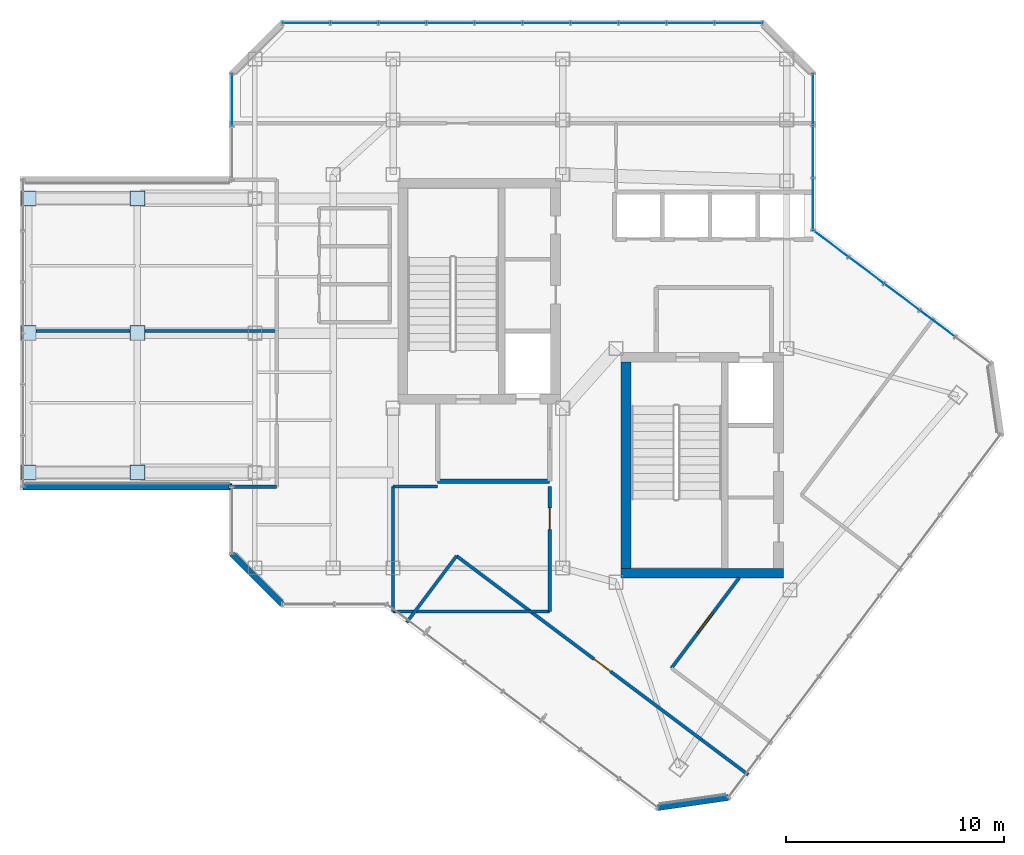
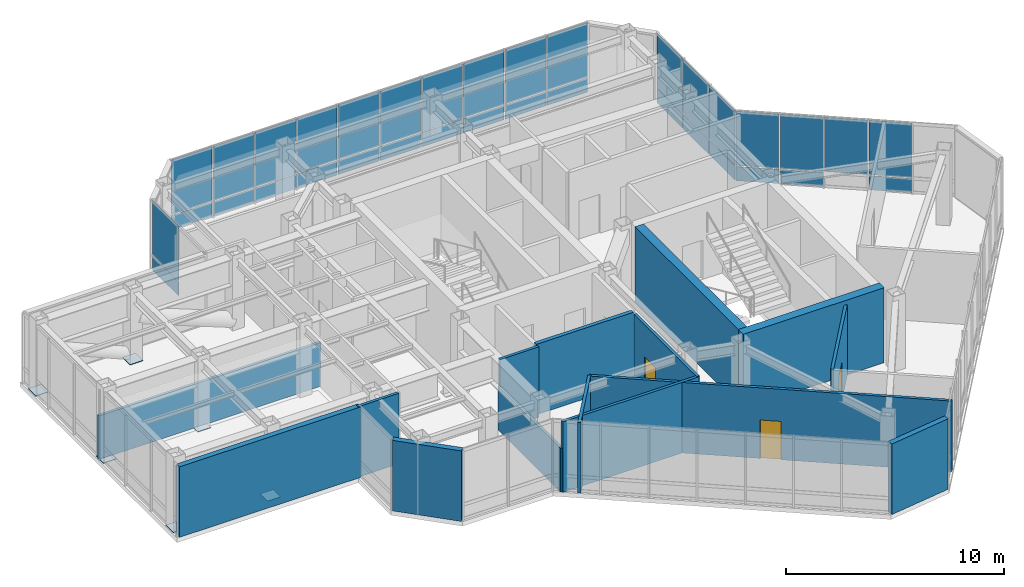
# One storey, part 17 of 22: 41 plates, 15 walls, 3 doors, 3 openings, 4 elements without a shape of their own.
"""IFC4 building model written with IfcOpenShell, lengths in metres."""

import ifcopenshell
import ifcopenshell.guid

model = None  # the IFC model being written
_history = None  # IfcOwnerHistory: only IFC2X3 demands one
_inside = {}  # id of a spatial element -> (the spatial element, [elements in it])
_under = {}  # id of a project, library or spatial element -> (it, [spatial elements below it])
_declared = {}  # id of a project -> (the project, [libraries it declares])
_typed = {}  # id of a type object -> (the type object, [elements of that type])
_made_of = {}  # id of a material, layer set ... -> (it, [elements and type objects made of it])


def new_model(schema):
    """Start an empty IFC model of exactly this schema.

    Asked for "IFC4X3", IfcOpenShell would pick the latest addendum, in which some entities
    have other attributes; the version numbers below select the first issue.
    IFC2X3 requires an IfcOwnerHistory on every rooted entity: one is made here for all.
    """
    global model, _history
    if schema == "IFC4X3":
        model = ifcopenshell.file(schema_version=(4, 3, 0, 0))
    else:
        model = ifcopenshell.file(schema=schema)
    _inside.clear()
    _under.clear()
    _declared.clear()
    _typed.clear()
    _made_of.clear()
    _history = None
    if model.schema == "IFC2X3":
        org = make("IfcOrganization", Name="unknown")
        user = make(
            "IfcPersonAndOrganization",
            ThePerson=make("IfcPerson", FamilyName="unknown"),
            TheOrganization=org,
        )
        app = make(
            "IfcApplication",
            ApplicationDeveloper=org,
            Version="unknown",
            ApplicationFullName="unknown",
            ApplicationIdentifier="unknown",
        )
        _history = make(
            "IfcOwnerHistory",
            OwningUser=user,
            OwningApplication=app,
            ChangeAction="ADDED",
            CreationDate=0,
        )
    return model


def make(cls, **values):
    """One entity of the class cls with the attributes given. An attribute that is None is left unset."""
    return model.create_entity(
        cls, **{name: value for name, value in values.items() if value is not None}
    )


def rooted(cls, **values):
    """An entity with a GlobalId (a new one), such as an element, a storey or a relation."""
    return make(cls, GlobalId=ifcopenshell.guid.new(), OwnerHistory=_history, **values)


def si_unit(unit_type, name, prefix=None):
    """IfcSIUnit, for example si_unit("LENGTHUNIT", "METRE", prefix="MILLI")."""
    return make("IfcSIUnit", UnitType=unit_type, Prefix=prefix, Name=name)


def assignment(units):
    """IfcUnitAssignment: the units of a project."""
    return None if units is None else make("IfcUnitAssignment", Units=units)


def point(xyz):
    """IfcCartesianPoint."""
    return None if xyz is None else make("IfcCartesianPoint", Coordinates=xyz)


def direction(xyz):
    """IfcDirection."""
    return None if xyz is None else make("IfcDirection", DirectionRatios=xyz)


def frame(location, z_axis=None, x_axis=None):
    """IfcAxis2Placement3D, a coordinate frame: its origin and axes. An axis left out is left unset."""
    return make(
        "IfcAxis2Placement3D",
        Location=point(location),
        Axis=direction(z_axis),
        RefDirection=direction(x_axis),
    )


def frame_2d(location, x_axis=None):
    """IfcAxis2Placement2D, a coordinate frame in the plane: its origin and x axis."""
    return make(
        "IfcAxis2Placement2D", Location=point(location), RefDirection=direction(x_axis)
    )


def origin():
    """The frame at (0, 0, 0) with its axes left unset."""
    return frame((0.0, 0.0, 0.0))


def origin_2d():
    """The frame at (0, 0) in the plane with its x axis left unset."""
    return frame_2d((0.0, 0.0))


def place(relative_to, where):
    """IfcLocalPlacement: puts the frame where relative to a parent placement (None: the world)."""
    return make(
        "IfcLocalPlacement", PlacementRelTo=relative_to, RelativePlacement=where
    )


def context(
    kind, dimensions, precision=None, world=None, true_north=None, identifier=None
):
    """IfcGeometricRepresentationContext, for example the 3D "Model" context."""
    return make(
        "IfcGeometricRepresentationContext",
        ContextIdentifier=identifier,
        ContextType=kind,
        CoordinateSpaceDimension=dimensions,
        Precision=precision,
        WorldCoordinateSystem=world,
        TrueNorth=true_north,
    )


def subcontext(parent, identifier, kind, view, scale=None):
    """IfcGeometricRepresentationSubContext, for example "Body" below "Model"."""
    return make(
        "IfcGeometricRepresentationSubContext",
        ContextIdentifier=identifier,
        ContextType=kind,
        ParentContext=parent,
        TargetScale=scale,
        TargetView=view,
    )


def project(units=None, contexts=None):
    """IfcProject with its units and contexts."""
    return rooted(
        "IfcProject",
        Name="project",
        RepresentationContexts=contexts,
        UnitsInContext=assignment(units),
    )


def spatial(cls, under=None, at=None, **own):
    """A site, building, storey or space (cls), placed at a placement, below another one or the project."""
    s = rooted(cls, ObjectPlacement=at, **own)
    if under is not None:
        _under.setdefault(under.id(), (under, []))[1].append(s)
    return s


def profile(cls, at=None, kind="AREA", **sizes):
    """A parametric profile (cls). Its sizes go by their IFC names, for example OverallWidth=200.0."""
    return make(cls, ProfileType=kind, Position=at, **sizes)


def rectangle(**sizes):
    """IfcRectangleProfileDef."""
    return profile("IfcRectangleProfileDef", **sizes)


def extrude(swept, where, along, depth):
    """IfcExtrudedAreaSolid: the profile swept, set in the frame where, extruded along a direction by depth."""
    return make(
        "IfcExtrudedAreaSolid",
        SweptArea=swept,
        Position=where,
        ExtrudedDirection=direction(along),
        Depth=depth,
    )


def shape(context_of_items, identifier, shape_type, items):
    """IfcShapeRepresentation: the items that make up one representation, for example the "Body"."""
    return make(
        "IfcShapeRepresentation",
        ContextOfItems=context_of_items,
        RepresentationIdentifier=identifier,
        RepresentationType=shape_type,
        Items=items,
    )


def material(Name=None, Category=None):
    """IfcMaterial."""
    return make("IfcMaterial", Name=Name, Category=Category)


def layer(
    of_material, thickness, ventilated=None, Name=None, Category=None, Priority=None
):
    """IfcMaterialLayer: one layer of a wall or slab, of a material (None: an air gap)."""
    return make(
        "IfcMaterialLayer",
        Material=of_material,
        LayerThickness=thickness,
        IsVentilated=ventilated,
        Name=Name,
        Category=Category,
        Priority=Priority,
    )


def layer_set(layers, Name=None):
    """IfcMaterialLayerSet."""
    return make("IfcMaterialLayerSet", MaterialLayers=layers, LayerSetName=Name)


def made_of(thing, what):
    """Note that an element or type object is made of a material, layer set ...; save() writes the relation."""
    if what is not None:
        _made_of.setdefault(what.id(), (what, []))[1].append(thing)
    return thing


def type_object(cls, material=None, **own):
    """A type object (cls), such as IfcWallType, which elements share."""
    return made_of(rooted(cls, **own), material)


def element(
    cls,
    number,
    at=None,
    inside=None,
    cuts=None,
    type_object=None,
    material=None,
    context=None,
    identifier="Body",
    shape_type=None,
    held_by="IfcProductDefinitionShape",
    body=None,
    shapes=None,
    **own,
):
    """One element of the class cls, such as IfcWall. Its Tag is "e" and its number.

    at: its placement. inside: the storey or other place that contains it. cuts: it is an
    opening in that element (IfcRelVoidsElement). A single representation is given by context,
    identifier, shape_type and body (its items); several are given by shapes. held_by: the class
    of the entity that holds the representations. save() writes the other relations.
    """
    e = rooted(cls, Tag="e%d" % number, ObjectPlacement=at, **own)
    if body is not None:
        shapes = [shape(context, identifier, shape_type, body)]
    if shapes is not None:
        e.Representation = make(held_by, Representations=shapes)
    if inside is not None:
        _inside.setdefault(inside.id(), (inside, []))[1].append(e)
    if cuts is not None:
        rooted(
            "IfcRelVoidsElement", RelatingBuildingElement=cuts, RelatedOpeningElement=e
        )
    if type_object is not None:
        _typed.setdefault(type_object.id(), (type_object, []))[1].append(e)
    return made_of(e, material)


def fill(opening, filler):
    """IfcRelFillsElement: the door or window that sits in an opening."""
    return rooted(
        "IfcRelFillsElement",
        RelatingOpeningElement=opening,
        RelatedBuildingElement=filler,
    )


def aggregate(whole, parts):
    """IfcRelAggregates: a whole, such as a stair, and the parts it consists of."""
    return rooted("IfcRelAggregates", RelatingObject=whole, RelatedObjects=parts)


def save(model, path):
    """Write the relations noted so far, then the file.

    IfcRelAggregates (storeys below a building ...), IfcRelContainedInSpatialStructure (elements
    in a storey), IfcRelDefinesByType, IfcRelAssociatesMaterial and IfcRelDeclares: one each for
    every whole, place, type object, material and project.
    """
    for whole, parts in _under.values():
        aggregate(whole, parts)
    for where, things in _inside.values():
        rooted(
            "IfcRelContainedInSpatialStructure",
            RelatedElements=things,
            RelatingStructure=where,
        )
    for kind, things in _typed.values():
        rooted("IfcRelDefinesByType", RelatedObjects=things, RelatingType=kind)
    for what, things in _made_of.values():
        rooted("IfcRelAssociatesMaterial", RelatedObjects=things, RelatingMaterial=what)
    for by, libraries in _declared.values():
        rooted("IfcRelDeclares", RelatingContext=by, RelatedDefinitions=libraries)
    model.write(path)


model = new_model("IFC4")

# Units and contexts
model_context = context("Model", 3, precision=1e-05, world=origin(), true_north=direction((0.0, 1.0)))
body_context = subcontext(model_context, "Body", "Model", "MODEL_VIEW")
ifc_project = project(units=[si_unit("LENGTHUNIT", "METRE"), si_unit("AREAUNIT", "SQUARE_METRE"), si_unit("VOLUMEUNIT", "CUBIC_METRE"), si_unit("PLANEANGLEUNIT", "RADIAN"), si_unit("MASSUNIT", "GRAM", prefix="KILO")], contexts=[model_context])

# Site, building, storey
site_placement = place(None, origin())
site = spatial("IfcSite", under=ifc_project, at=site_placement, CompositionType="ELEMENT")
building_placement = place(site_placement, origin())
building = spatial("IfcBuilding", under=site, at=building_placement, Name="Hatsunagi Terrace Concourse", CompositionType="ELEMENT")
storey_placement = place(building_placement, frame((0.0, 0.0, 257.550048828125)))
storey = spatial("IfcBuildingStorey", under=building, at=storey_placement, Name="L68", CompositionType="ELEMENT", Elevation=257.550048828125)

# Plates
ifc_material_1 = material(Name="Steel SN490C", Category="steel")
ifc_layer_1 = layer(ifc_material_1, 0.031982421875)
ifc_layer_set_1 = layer_set([ifc_layer_1], Name="ColumnEndCapPlate_32")
plate_type_1 = type_object("IfcPlateType", Name="ColumnEndCapPlate_32", PredefinedType="USERDEFINED", material=ifc_layer_set_1)
for number, where, z_axis, x_axis, name in (
    (1, (13.800048828125, 29.60009765625, 0.0), (0.0, 0.0, 1.0), (1.0, 0.0, 0.0), "Hollow Column Base Cap Plate GP-03 L68-SLM1"),
    (2, (8.800048828125, 29.60009765625, 0.0), (0.0, 0.0, 1.0), (1.0, 0.0, 0.0), "Hollow Column Base Cap Plate GP-03 L68-SLO1"),
    (3, (13.800048828125, 36.0, 0.0), (0.0, 0.0, 1.0), (1.0, 0.0, 0.0), "Hollow Column Base Cap Plate GP-03 L68-SLM2"),
    (4, (8.800048828125, 36.0, 0.0), (0.0, 0.0, 1.0), (1.0, 0.0, 0.0), "Hollow Column Base Cap Plate GP-03 L68-SLO2"),
    (5, (13.800048828125, 42.199951171875, 0.0), (0.0, 0.0, 1.0), (1.0, 0.0, 0.0), "Hollow Column Base Cap Plate GP-03 L68-SLM3"),
    (6, (8.800048828125, 42.199951171875, 0.0), (0.0, 0.0, 1.0), (1.0, 0.0, 0.0), "Hollow Column Base Cap Plate GP-03 L68-SLO3"),
):
    element("IfcPlate", number, at=place(storey_placement, frame(where, z_axis=z_axis, x_axis=x_axis)), inside=storey, type_object=plate_type_1, Name=name, ObjectType="GUSSET_PLATE", PredefinedType="USERDEFINED", context=body_context, shape_type="SweptSolid", body=[
        extrude(rectangle(XDim=0.68994140625, YDim=0.68994140625, at=origin_2d()), origin(), (0.0, 0.0, 1.0), 0.031982421875),
    ])

# Curtain wall, plate
ifc_material_2 = material(Name="Anodised Aluminium Alloy 6063-T5", Category="aluminium")
ifc_layer_2 = layer(ifc_material_2, 0.199951171875)
ifc_layer_set_2 = layer_set([ifc_layer_2], Name="SkyLobbyAtrium_CW05")
curtain_wall_type = type_object("IfcCurtainWallType", Name="SkyLobbyAtrium_CW05", PredefinedType="NOTDEFINED", material=ifc_layer_set_2)
curtain_wall_1_placement = place(storey_placement, origin())
curtain_wall_1 = element("IfcCurtainWall", 7, at=curtain_wall_1_placement, inside=storey, type_object=curtain_wall_type, Name="Unitised Curtain Wall CW-05 CW-L68-01", PredefinedType="NOTDEFINED")
ifc_material_3 = material(Name="Warm Terracotta Ceramic Spandrel Panel", Category="masonry")
ifc_layer_3 = layer(ifc_material_3, 0.031982421875)
ifc_layer_set_3 = layer_set([ifc_layer_3], Name="CurtainWallSpandrelPanel_32")
plate_type_2 = type_object("IfcPlateType", Name="CurtainWallSpandrelPanel_32", PredefinedType="SHEET", material=ifc_layer_set_3)
plate_1_placement = place(storey_placement, frame((18.139892578125, 46.720947265625, 0.030029296875), z_axis=(0.0, 0.0, 1.0), x_axis=(0.0, 1.0, 0.0)))
plate_1 = element("IfcPlate", 8, at=plate_1_placement, type_object=plate_type_2, Name="Terracotta Spandrel Panel SPN-01", PredefinedType="SHEET", context=body_context, shape_type="SweptSolid", body=[
    extrude(rectangle(XDim=2.385986328125, YDim=0.031982421875, at=origin_2d()), origin(), (0.0, 0.0, 1.0), 0.7900390625),
])

# Curtain wall, plates
curtain_wall_2_placement = place(storey_placement, origin())
curtain_wall_2 = element("IfcCurtainWall", 9, at=curtain_wall_2_placement, inside=storey, type_object=curtain_wall_type, Name="Unitised Curtain Wall CW-05 CW-L68-03", PredefinedType="NOTDEFINED")
plate_2_placement = place(storey_placement, frame((21.56201171875, 50.260009765625, 0.030029296875), z_axis=(0.0, 0.0, 1.0), x_axis=(1.0, 0.0, 0.0)))
plate_2 = element("IfcPlate", 10, at=plate_2_placement, type_object=plate_type_2, Name="Terracotta Spandrel Panel SPN-01", PredefinedType="SHEET", context=body_context, shape_type="SweptSolid", body=[
    extrude(rectangle(XDim=2.153076171875, YDim=0.031982421875, at=origin_2d()), origin(), (0.0, 0.0, 1.0), 0.7900390625),
])
plate_3_placement = place(storey_placement, frame((23.77099609375, 50.260009765625, 0.030029296875), z_axis=(0.0, 0.0, 1.0), x_axis=(1.0, 0.0, 0.0)))
plate_3 = element("IfcPlate", 11, at=plate_3_placement, type_object=plate_type_2, Name="Terracotta Spandrel Panel SPN-01", PredefinedType="SHEET", context=body_context, shape_type="SweptSolid", body=[
    extrude(rectangle(XDim=2.153076171875, YDim=0.031982421875, at=origin_2d()), origin(), (0.0, 0.0, 1.0), 0.7900390625),
])
plate_4_placement = place(storey_placement, frame((25.97900390625, 50.260009765625, 0.030029296875), z_axis=(0.0, 0.0, 1.0), x_axis=(1.0, 0.0, 0.0)))
plate_4 = element("IfcPlate", 12, at=plate_4_placement, type_object=plate_type_2, Name="Terracotta Spandrel Panel SPN-01", PredefinedType="SHEET", context=body_context, shape_type="SweptSolid", body=[
    extrude(rectangle(XDim=2.153076171875, YDim=0.031982421875, at=origin_2d()), origin(), (0.0, 0.0, 1.0), 0.7900390625),
])
plate_5_placement = place(storey_placement, frame((28.18701171875, 50.260009765625, 0.030029296875), z_axis=(0.0, 0.0, 1.0), x_axis=(1.0, 0.0, 0.0)))
plate_5 = element("IfcPlate", 13, at=plate_5_placement, type_object=plate_type_2, Name="Terracotta Spandrel Panel SPN-01", PredefinedType="SHEET", context=body_context, shape_type="SweptSolid", body=[
    extrude(rectangle(XDim=2.153076171875, YDim=0.031982421875, at=origin_2d()), origin(), (0.0, 0.0, 1.0), 0.7900390625),
])
plate_6_placement = place(storey_placement, frame((30.39599609375, 50.260009765625, 0.030029296875), z_axis=(0.0, 0.0, 1.0), x_axis=(1.0, 0.0, 0.0)))
plate_6 = element("IfcPlate", 14, at=plate_6_placement, type_object=plate_type_2, Name="Terracotta Spandrel Panel SPN-01", PredefinedType="SHEET", context=body_context, shape_type="SweptSolid", body=[
    extrude(rectangle(XDim=2.153076171875, YDim=0.031982421875, at=origin_2d()), origin(), (0.0, 0.0, 1.0), 0.7900390625),
])
plate_7_placement = place(storey_placement, frame((32.60400390625, 50.260009765625, 0.030029296875), z_axis=(0.0, 0.0, 1.0), x_axis=(1.0, 0.0, 0.0)))
plate_7 = element("IfcPlate", 15, at=plate_7_placement, type_object=plate_type_2, Name="Terracotta Spandrel Panel SPN-01", PredefinedType="SHEET", context=body_context, shape_type="SweptSolid", body=[
    extrude(rectangle(XDim=2.153076171875, YDim=0.031982421875, at=origin_2d()), origin(), (0.0, 0.0, 1.0), 0.7900390625),
])
plate_8_placement = place(storey_placement, frame((34.81298828125, 50.260009765625, 0.030029296875), z_axis=(0.0, 0.0, 1.0), x_axis=(1.0, 0.0, 0.0)))
plate_8 = element("IfcPlate", 16, at=plate_8_placement, type_object=plate_type_2, Name="Terracotta Spandrel Panel SPN-01", PredefinedType="SHEET", context=body_context, shape_type="SweptSolid", body=[
    extrude(rectangle(XDim=2.153076171875, YDim=0.031982421875, at=origin_2d()), origin(), (0.0, 0.0, 1.0), 0.7900390625),
])
plate_9_placement = place(storey_placement, frame((37.02099609375, 50.260009765625, 0.030029296875), z_axis=(0.0, 0.0, 1.0), x_axis=(1.0, 0.0, 0.0)))
plate_9 = element("IfcPlate", 17, at=plate_9_placement, type_object=plate_type_2, Name="Terracotta Spandrel Panel SPN-01", PredefinedType="SHEET", context=body_context, shape_type="SweptSolid", body=[
    extrude(rectangle(XDim=2.153076171875, YDim=0.031982421875, at=origin_2d()), origin(), (0.0, 0.0, 1.0), 0.7900390625),
])
plate_10_placement = place(storey_placement, frame((39.22900390625, 50.260009765625, 0.030029296875), z_axis=(0.0, 0.0, 1.0), x_axis=(1.0, 0.0, 0.0)))
plate_10 = element("IfcPlate", 18, at=plate_10_placement, type_object=plate_type_2, Name="Terracotta Spandrel Panel SPN-01", PredefinedType="SHEET", context=body_context, shape_type="SweptSolid", body=[
    extrude(rectangle(XDim=2.153076171875, YDim=0.031982421875, at=origin_2d()), origin(), (0.0, 0.0, 1.0), 0.7900390625),
])
plate_11_placement = place(storey_placement, frame((41.43798828125, 50.260009765625, 0.030029296875), z_axis=(0.0, 0.0, 1.0), x_axis=(1.0, 0.0, 0.0)))
plate_11 = element("IfcPlate", 19, at=plate_11_placement, type_object=plate_type_2, Name="Terracotta Spandrel Panel SPN-01", PredefinedType="SHEET", context=body_context, shape_type="SweptSolid", body=[
    extrude(rectangle(XDim=2.153076171875, YDim=0.031982421875, at=origin_2d()), origin(), (0.0, 0.0, 1.0), 0.7900390625),
])

curtain_wall_3_placement = place(storey_placement, origin())
curtain_wall_3 = element("IfcCurtainWall", 20, at=curtain_wall_3_placement, inside=storey, type_object=curtain_wall_type, Name="Unitised Curtain Wall CW-05 CW-L68-05", PredefinedType="NOTDEFINED")
plate_12_placement = place(storey_placement, frame((44.860107421875, 46.739990234375, 0.030029296875), z_axis=(0.0, 0.0, 1.0), x_axis=(0.0, -1.0, 0.0)))
plate_12 = element("IfcPlate", 21, at=plate_12_placement, type_object=plate_type_2, Name="Terracotta Spandrel Panel SPN-01", PredefinedType="SHEET", context=body_context, shape_type="SweptSolid", body=[
    extrude(rectangle(XDim=2.34912109375, YDim=0.031982421875, at=origin_2d()), origin(), (0.0, 0.0, 1.0), 0.7900390625),
])
plate_13_placement = place(storey_placement, frame((44.860107421875, 44.3359375, 0.030029296875), z_axis=(0.0, 0.0, 1.0), x_axis=(0.0, -1.0, 0.0)))
plate_13 = element("IfcPlate", 22, at=plate_13_placement, type_object=plate_type_2, Name="Terracotta Spandrel Panel SPN-01", PredefinedType="SHEET", context=body_context, shape_type="SweptSolid", body=[
    extrude(rectangle(XDim=2.34912109375, YDim=0.031982421875, at=origin_2d()), origin(), (0.0, 0.0, 1.0), 0.7900390625),
])
plate_14_placement = place(storey_placement, frame((44.860107421875, 41.931884765625, 0.030029296875), z_axis=(0.0, 0.0, 1.0), x_axis=(0.0, -1.0, 0.0)))
plate_14 = element("IfcPlate", 23, at=plate_14_placement, type_object=plate_type_2, Name="Terracotta Spandrel Panel SPN-01", PredefinedType="SHEET", context=body_context, shape_type="SweptSolid", body=[
    extrude(rectangle(XDim=2.34912109375, YDim=0.031982421875, at=origin_2d()), origin(), (0.0, 0.0, 1.0), 0.7900390625),
])

curtain_wall_4_placement = place(storey_placement, origin())
curtain_wall_4 = element("IfcCurtainWall", 24, at=curtain_wall_4_placement, inside=storey, type_object=curtain_wall_type, Name="Unitised Curtain Wall CW-05 CW-L68-06", PredefinedType="NOTDEFINED")
plate_15_placement = place(storey_placement, frame((45.677001953125, 40.116943359375, 0.030029296875), z_axis=(0.0, 0.0, 1.0), x_axis=(0.800023013105, -0.599969314634, 0.0)))
plate_15 = element("IfcPlate", 25, at=plate_15_placement, type_object=plate_type_2, Name="Terracotta Spandrel Panel SPN-01", PredefinedType="SHEET", context=body_context, shape_type="SweptSolid", body=[
    extrude(rectangle(XDim=1.987060546875, YDim=0.031982421875, at=origin_2d()), origin(), (0.0, 0.0, 1.0), 0.7900390625),
])
plate_16_placement = place(storey_placement, frame((47.31103515625, 38.89208984375, 0.030029296875), z_axis=(0.0, 0.0, 1.0), x_axis=(0.800023013105, -0.599969314634, 0.0)))
plate_16 = element("IfcPlate", 26, at=plate_16_placement, type_object=plate_type_2, Name="Terracotta Spandrel Panel SPN-01", PredefinedType="SHEET", context=body_context, shape_type="SweptSolid", body=[
    extrude(rectangle(XDim=1.987060546875, YDim=0.031982421875, at=origin_2d()), origin(), (0.0, 0.0, 1.0), 0.7900390625),
])
plate_17_placement = place(storey_placement, frame((50.5791015625, 36.44091796875, 0.030029296875), z_axis=(0.0, 0.0, 1.0), x_axis=(0.800023013105, -0.599969314634, 0.0)))
plate_17 = element("IfcPlate", 27, at=plate_17_placement, type_object=plate_type_2, Name="Terracotta Spandrel Panel SPN-01", PredefinedType="SHEET", context=body_context, shape_type="SweptSolid", body=[
    extrude(rectangle(XDim=1.987060546875, YDim=0.031982421875, at=origin_2d()), origin(), (0.0, 0.0, 1.0), 0.7900390625),
])

# Plate
ifc_material_4 = material(Name="Low-E Double Insulating Glass 28mm", Category="glass")
ifc_layer_4 = layer(ifc_material_4, 0.028076171875)
ifc_layer_set_4 = layer_set([ifc_layer_4], Name="CurtainWallVisionGlass_28")
plate_type_3 = type_object("IfcPlateType", Name="CurtainWallVisionGlass_28", PredefinedType="CURTAIN_PANEL", material=ifc_layer_set_4)
plate_18_placement = place(storey_placement, frame((18.139892578125, 46.720947265625, 0.8798828125), z_axis=(0.0, 0.0, 1.0), x_axis=(0.0, 1.0, 0.0)))
plate_18 = element("IfcPlate", 28, at=plate_18_placement, type_object=plate_type_3, Name="Low-E Vision Glass Panel GLZ-01", PredefinedType="CURTAIN_PANEL", context=body_context, shape_type="SweptSolid", body=[
    extrude(rectangle(XDim=2.385986328125, YDim=0.028076171875, at=origin_2d()), origin(), (0.0, 0.0, 1.0), 3.0400390625),
])

aggregate(curtain_wall_1, [plate_1, plate_18])

plate_19_placement = place(storey_placement, frame((21.56201171875, 50.260009765625, 0.8798828125), z_axis=(0.0, 0.0, 1.0), x_axis=(1.0, 0.0, 0.0)))
plate_19 = element("IfcPlate", 29, at=plate_19_placement, type_object=plate_type_3, Name="Low-E Vision Glass Panel GLZ-01", PredefinedType="CURTAIN_PANEL", context=body_context, shape_type="SweptSolid", body=[
    extrude(rectangle(XDim=2.153076171875, YDim=0.028076171875, at=origin_2d()), origin(), (0.0, 0.0, 1.0), 3.0400390625),
])

plate_20_placement = place(storey_placement, frame((23.77099609375, 50.260009765625, 0.8798828125), z_axis=(0.0, 0.0, 1.0), x_axis=(1.0, 0.0, 0.0)))
plate_20 = element("IfcPlate", 30, at=plate_20_placement, type_object=plate_type_3, Name="Low-E Vision Glass Panel GLZ-01", PredefinedType="CURTAIN_PANEL", context=body_context, shape_type="SweptSolid", body=[
    extrude(rectangle(XDim=2.153076171875, YDim=0.028076171875, at=origin_2d()), origin(), (0.0, 0.0, 1.0), 3.0400390625),
])

plate_21_placement = place(storey_placement, frame((25.97900390625, 50.260009765625, 0.8798828125), z_axis=(0.0, 0.0, 1.0), x_axis=(1.0, 0.0, 0.0)))
plate_21 = element("IfcPlate", 31, at=plate_21_placement, type_object=plate_type_3, Name="Low-E Vision Glass Panel GLZ-01", PredefinedType="CURTAIN_PANEL", context=body_context, shape_type="SweptSolid", body=[
    extrude(rectangle(XDim=2.153076171875, YDim=0.028076171875, at=origin_2d()), origin(), (0.0, 0.0, 1.0), 3.0400390625),
])

plate_22_placement = place(storey_placement, frame((28.18701171875, 50.260009765625, 0.8798828125), z_axis=(0.0, 0.0, 1.0), x_axis=(1.0, 0.0, 0.0)))
plate_22 = element("IfcPlate", 32, at=plate_22_placement, type_object=plate_type_3, Name="Low-E Vision Glass Panel GLZ-01", PredefinedType="CURTAIN_PANEL", context=body_context, shape_type="SweptSolid", body=[
    extrude(rectangle(XDim=2.153076171875, YDim=0.028076171875, at=origin_2d()), origin(), (0.0, 0.0, 1.0), 3.0400390625),
])

plate_23_placement = place(storey_placement, frame((30.39599609375, 50.260009765625, 0.8798828125), z_axis=(0.0, 0.0, 1.0), x_axis=(1.0, 0.0, 0.0)))
plate_23 = element("IfcPlate", 33, at=plate_23_placement, type_object=plate_type_3, Name="Low-E Vision Glass Panel GLZ-01", PredefinedType="CURTAIN_PANEL", context=body_context, shape_type="SweptSolid", body=[
    extrude(rectangle(XDim=2.153076171875, YDim=0.028076171875, at=origin_2d()), origin(), (0.0, 0.0, 1.0), 3.0400390625),
])

plate_24_placement = place(storey_placement, frame((32.60400390625, 50.260009765625, 0.8798828125), z_axis=(0.0, 0.0, 1.0), x_axis=(1.0, 0.0, 0.0)))
plate_24 = element("IfcPlate", 34, at=plate_24_placement, type_object=plate_type_3, Name="Low-E Vision Glass Panel GLZ-01", PredefinedType="CURTAIN_PANEL", context=body_context, shape_type="SweptSolid", body=[
    extrude(rectangle(XDim=2.153076171875, YDim=0.028076171875, at=origin_2d()), origin(), (0.0, 0.0, 1.0), 3.0400390625),
])

plate_25_placement = place(storey_placement, frame((34.81298828125, 50.260009765625, 0.8798828125), z_axis=(0.0, 0.0, 1.0), x_axis=(1.0, 0.0, 0.0)))
plate_25 = element("IfcPlate", 35, at=plate_25_placement, type_object=plate_type_3, Name="Low-E Vision Glass Panel GLZ-01", PredefinedType="CURTAIN_PANEL", context=body_context, shape_type="SweptSolid", body=[
    extrude(rectangle(XDim=2.153076171875, YDim=0.028076171875, at=origin_2d()), origin(), (0.0, 0.0, 1.0), 3.0400390625),
])

plate_26_placement = place(storey_placement, frame((37.02099609375, 50.260009765625, 0.8798828125), z_axis=(0.0, 0.0, 1.0), x_axis=(1.0, 0.0, 0.0)))
plate_26 = element("IfcPlate", 36, at=plate_26_placement, type_object=plate_type_3, Name="Low-E Vision Glass Panel GLZ-01", PredefinedType="CURTAIN_PANEL", context=body_context, shape_type="SweptSolid", body=[
    extrude(rectangle(XDim=2.153076171875, YDim=0.028076171875, at=origin_2d()), origin(), (0.0, 0.0, 1.0), 3.0400390625),
])

plate_27_placement = place(storey_placement, frame((39.22900390625, 50.260009765625, 0.8798828125), z_axis=(0.0, 0.0, 1.0), x_axis=(1.0, 0.0, 0.0)))
plate_27 = element("IfcPlate", 37, at=plate_27_placement, type_object=plate_type_3, Name="Low-E Vision Glass Panel GLZ-01", PredefinedType="CURTAIN_PANEL", context=body_context, shape_type="SweptSolid", body=[
    extrude(rectangle(XDim=2.153076171875, YDim=0.028076171875, at=origin_2d()), origin(), (0.0, 0.0, 1.0), 3.0400390625),
])

plate_28_placement = place(storey_placement, frame((41.43798828125, 50.260009765625, 0.8798828125), z_axis=(0.0, 0.0, 1.0), x_axis=(1.0, 0.0, 0.0)))
plate_28 = element("IfcPlate", 38, at=plate_28_placement, type_object=plate_type_3, Name="Low-E Vision Glass Panel GLZ-01", PredefinedType="CURTAIN_PANEL", context=body_context, shape_type="SweptSolid", body=[
    extrude(rectangle(XDim=2.153076171875, YDim=0.028076171875, at=origin_2d()), origin(), (0.0, 0.0, 1.0), 3.0400390625),
])

aggregate(curtain_wall_2, [plate_2, plate_19, plate_3, plate_20, plate_4, plate_21, plate_5, plate_22, plate_6, plate_23, plate_7, plate_24, plate_8, plate_25, plate_9, plate_26, plate_10, plate_27, plate_11, plate_28])

plate_29_placement = place(storey_placement, frame((44.860107421875, 46.739990234375, 0.8798828125), z_axis=(0.0, 0.0, 1.0), x_axis=(0.0, -1.0, 0.0)))
plate_29 = element("IfcPlate", 39, at=plate_29_placement, type_object=plate_type_3, Name="Low-E Vision Glass Panel GLZ-01", PredefinedType="CURTAIN_PANEL", context=body_context, shape_type="SweptSolid", body=[
    extrude(rectangle(XDim=2.34912109375, YDim=0.028076171875, at=origin_2d()), origin(), (0.0, 0.0, 1.0), 3.0400390625),
])

plate_30_placement = place(storey_placement, frame((44.860107421875, 44.3359375, 0.8798828125), z_axis=(0.0, 0.0, 1.0), x_axis=(0.0, -1.0, 0.0)))
plate_30 = element("IfcPlate", 40, at=plate_30_placement, type_object=plate_type_3, Name="Low-E Vision Glass Panel GLZ-01", PredefinedType="CURTAIN_PANEL", context=body_context, shape_type="SweptSolid", body=[
    extrude(rectangle(XDim=2.34912109375, YDim=0.028076171875, at=origin_2d()), origin(), (0.0, 0.0, 1.0), 3.0400390625),
])

plate_31_placement = place(storey_placement, frame((44.860107421875, 41.931884765625, 0.8798828125), z_axis=(0.0, 0.0, 1.0), x_axis=(0.0, -1.0, 0.0)))
plate_31 = element("IfcPlate", 41, at=plate_31_placement, type_object=plate_type_3, Name="Low-E Vision Glass Panel GLZ-01", PredefinedType="CURTAIN_PANEL", context=body_context, shape_type="SweptSolid", body=[
    extrude(rectangle(XDim=2.34912109375, YDim=0.028076171875, at=origin_2d()), origin(), (0.0, 0.0, 1.0), 3.0400390625),
])

aggregate(curtain_wall_3, [plate_12, plate_29, plate_13, plate_30, plate_14, plate_31])

plate_32_placement = place(storey_placement, frame((45.677001953125, 40.116943359375, 0.8798828125), z_axis=(0.0, 0.0, 1.0), x_axis=(0.800023013105, -0.599969314634, 0.0)))
plate_32 = element("IfcPlate", 42, at=plate_32_placement, type_object=plate_type_3, Name="Low-E Vision Glass Panel GLZ-01", PredefinedType="CURTAIN_PANEL", context=body_context, shape_type="SweptSolid", body=[
    extrude(rectangle(XDim=1.987060546875, YDim=0.028076171875, at=origin_2d()), origin(), (0.0, 0.0, 1.0), 3.0400390625),
])

plate_33_placement = place(storey_placement, frame((47.31103515625, 38.89208984375, 0.8798828125), z_axis=(0.0, 0.0, 1.0), x_axis=(0.800023013105, -0.599969314634, 0.0)))
plate_33 = element("IfcPlate", 43, at=plate_33_placement, type_object=plate_type_3, Name="Low-E Vision Glass Panel GLZ-01", PredefinedType="CURTAIN_PANEL", context=body_context, shape_type="SweptSolid", body=[
    extrude(rectangle(XDim=1.987060546875, YDim=0.028076171875, at=origin_2d()), origin(), (0.0, 0.0, 1.0), 3.0400390625),
])

plate_34_placement = place(storey_placement, frame((48.945068359375, 37.666015625, 0.8798828125), z_axis=(0.0, 0.0, 1.0), x_axis=(0.800023013105, -0.599969314634, 0.0)))
plate_34 = element("IfcPlate", 44, at=plate_34_placement, type_object=plate_type_3, Name="Low-E Vision Glass Panel GLZ-01", PredefinedType="CURTAIN_PANEL", context=body_context, shape_type="SweptSolid", body=[
    extrude(rectangle(XDim=1.987060546875, YDim=0.028076171875, at=origin_2d()), origin(), (0.0, 0.0, 1.0), 3.0400390625),
])

plate_35_placement = place(storey_placement, frame((50.5791015625, 36.44091796875, 0.8798828125), z_axis=(0.0, 0.0, 1.0), x_axis=(0.800023013105, -0.599969314634, 0.0)))
plate_35 = element("IfcPlate", 45, at=plate_35_placement, type_object=plate_type_3, Name="Low-E Vision Glass Panel GLZ-01", PredefinedType="CURTAIN_PANEL", context=body_context, shape_type="SweptSolid", body=[
    extrude(rectangle(XDim=1.987060546875, YDim=0.028076171875, at=origin_2d()), origin(), (0.0, 0.0, 1.0), 3.0400390625),
])

aggregate(curtain_wall_4, [plate_15, plate_32, plate_16, plate_33, plate_34, plate_17, plate_35])

# Walls
ifc_material_5 = material(Name="Concrete Fc42", Category="concrete")
ifc_layer_5 = layer(ifc_material_5, 0.449951171875)
ifc_layer_set_5 = layer_set([ifc_layer_5], Name="CoreShearWall_Fc42_450")
wall_type_1 = type_object("IfcWallType", Name="CoreShearWall_Fc42_450", PredefinedType="SHEAR", material=ifc_layer_set_5)
wall_1_placement = place(storey_placement, frame((36.0400390625, 24.965087890625, 0.0), z_axis=(0.0, 0.0, 1.0), x_axis=(1.0, 0.0, 0.0)))
element("IfcWall", 46, at=wall_1_placement, inside=storey, type_object=wall_type_1, Name="Core B Shear Wall S L68", PredefinedType="SHEAR", context=body_context, shape_type="SweptSolid", body=[
    extrude(rectangle(XDim=7.4599609375, YDim=0.449951171875, at=frame_2d((3.72998046875, 0.0))), origin(), (0.0, 0.0, 1.0), 4.199951171875),
])
wall_2_placement = place(storey_placement, frame((36.264892578125, 25.18994140625, 0.0), z_axis=(0.0, 0.0, 1.0), x_axis=(0.0, 1.0, 0.0)))
element("IfcWall", 47, at=wall_2_placement, inside=storey, type_object=wall_type_1, Name="Core B Shear Wall W L68", PredefinedType="SHEAR", context=body_context, shape_type="SweptSolid", body=[
    extrude(rectangle(XDim=9.47998046875, YDim=0.449951171875, at=frame_2d((4.739990234375, 0.0))), origin(), (0.0, 0.0, 1.0), 4.199951171875),
])
ifc_material_6 = material(Name="Acoustic mineral board", Category="gypsum")
ifc_layer_6 = layer(ifc_material_6, 0.14990234375)
ifc_layer_set_6 = layer_set([ifc_layer_6], Name="PartitionWall_EI60_150")
wall_type_2 = type_object("IfcWallType", Name="PartitionWall_EI60_150", PredefinedType="PARTITIONING", material=ifc_layer_set_6)
wall_3_placement = place(storey_placement, frame((25.550048828125, 23.199951171875, 0.0), z_axis=(0.0, 0.0, 1.0), x_axis=(1.0, 0.0, 0.0)))
element("IfcWall", 48, at=wall_3_placement, inside=storey, type_object=wall_type_2, Name="Interior Partition IW-L68-025", PredefinedType="PARTITIONING", context=body_context, shape_type="SweptSolid", body=[
    extrude(rectangle(XDim=7.199951171875, YDim=0.14990234375, at=frame_2d((3.60009765625, 0.0))), origin(), (0.0, 0.0, 1.0), 3.949951171875),
])
wall_4_placement = place(storey_placement, frame((25.550048828125, 28.949951171875, 0.0), z_axis=(0.0, 0.0, 1.0), x_axis=(1.0, 0.0, 0.0)))
element("IfcWall", 49, at=wall_4_placement, inside=storey, type_object=wall_type_2, Name="Interior Partition IW-L68-026", PredefinedType="PARTITIONING", context=body_context, shape_type="SweptSolid", body=[
    extrude(rectangle(XDim=2.050048828125, YDim=0.14990234375, at=frame_2d((1.02490234375, 0.0))), origin(), (0.0, 0.0, 1.0), 3.949951171875),
])
wall_5_placement = place(storey_placement, frame((25.550048828125, 23.199951171875, 0.0), z_axis=(0.0, 0.0, 1.0), x_axis=(0.0, 1.0, 0.0)))
element("IfcWall", 50, at=wall_5_placement, inside=storey, type_object=wall_type_2, Name="Interior Partition IW-L68-027", PredefinedType="PARTITIONING", context=body_context, shape_type="SweptSolid", body=[
    extrude(rectangle(XDim=5.75, YDim=0.14990234375, at=frame_2d((2.875, 0.0))), origin(), (0.0, 0.0, 1.0), 2.445068359375),
])

# Wall, opening, door
wall_6_placement = place(storey_placement, frame((32.75, 23.199951171875, 0.0), z_axis=(0.0, 0.0, 1.0), x_axis=(0.0, 1.0, 0.0)))
wall_6 = element("IfcWall", 51, at=wall_6_placement, inside=storey, type_object=wall_type_2, Name="Interior Partition IW-L68-028", PredefinedType="PARTITIONING", context=body_context, shape_type="SweptSolid", body=[
    extrude(rectangle(XDim=5.75, YDim=0.14990234375, at=frame_2d((2.875, 0.0))), origin(), (0.0, 0.0, 1.0), 3.949951171875),
])
opening_1_placement = place(wall_6_placement, frame((3.77197265625, 0.0, 0.0)))
opening_1 = element("IfcOpeningElement", 52, at=opening_1_placement, cuts=wall_6, Name="Opening DR-100S", PredefinedType="OPENING", context=body_context, shape_type="SweptSolid", body=[
    extrude(rectangle(XDim=1.0, YDim=2.14990234375, at=frame_2d((0.5, 1.074951171875))), frame((0.0, 0.0849609375, 0.0), z_axis=(0.0, -1.0, 0.0), x_axis=(1.0, 0.0, 0.0)), (0.0, 0.0, 1.0), 0.169921875),
])
ifc_material_7 = material(Name="Hardwood timber", Category="wood")
door_type_1 = type_object("IfcDoorType", Name="SuiteDoor_EI30_1000", OperationType="NOTDEFINED", PredefinedType="DOOR", material=ifc_material_7)
door_1_placement = place(opening_1_placement, origin())
door_1 = element("IfcDoor", 53, at=door_1_placement, inside=storey, type_object=door_type_1, Name="Private Dining Suite L68-RECL1 Door", OperationType="SINGLE_SWING_LEFT", OverallHeight=2.14990234375, OverallWidth=1.0, PredefinedType="DOOR", context=body_context, shape_type="SweptSolid", body=[
    extrude(rectangle(XDim=1.0, YDim=2.14990234375, at=frame_2d((0.5, 1.074951171875))), frame((0.0, 0.02490234375, 0.0), z_axis=(0.0, -1.0, 0.0), x_axis=(1.0, 0.0, 0.0)), (0.0, 0.0, 1.0), 0.050048828125),
])
fill(opening_1, door_1)

# Walls
wall_7_placement = place(storey_placement, frame((18.0, 28.93994140625, 0.0), z_axis=(0.0, 0.0, 1.0), x_axis=(1.0, 0.0, 0.0)))
element("IfcWall", 54, at=wall_7_placement, inside=storey, type_object=wall_type_2, Name="Interior Partition IW-L68-031", PredefinedType="PARTITIONING", context=body_context, shape_type="SweptSolid", body=[
    extrude(rectangle(XDim=2.199951171875, YDim=0.14990234375, at=frame_2d((1.10009765625, 0.0))), origin(), (0.0, 0.0, 1.0), 3.949951171875),
])
wall_8_placement = place(storey_placement, frame((8.43994140625, 36.10009765625, 0.0), z_axis=(0.0, 0.0, 1.0), x_axis=(1.0, 0.0, 0.0)))
element("IfcWall", 55, at=wall_8_placement, inside=storey, type_object=wall_type_2, Name="Interior Partition IW-L68-033", PredefinedType="PARTITIONING", context=body_context, shape_type="SweptSolid", body=[
    extrude(rectangle(XDim=11.760009765625, YDim=0.14990234375, at=frame_2d((5.8798828125, 0.0))), origin(), (0.0, 0.0, 1.0), 2.445068359375),
])

# Wall, opening, door
wall_9_placement = place(storey_placement, frame((28.469970703125, 25.760009765625, 0.0), z_axis=(0.0, 0.0, 1.0), x_axis=(0.800001748029, -0.599997669287, 0.0)))
wall_9 = element("IfcWall", 56, at=wall_9_placement, inside=storey, type_object=wall_type_2, Name="Interior Partition IW-L68-037", PredefinedType="PARTITIONING", context=body_context, shape_type="SweptSolid", body=[
    extrude(rectangle(XDim=16.760009765625, YDim=0.14990234375, at=frame_2d((8.3798828125, 0.0))), origin(), (0.0, 0.0, 1.0), 3.949951171875),
])
opening_2_placement = place(wall_9_placement, frame((7.905029296875, 0.0, 0.0)))
opening_2 = element("IfcOpeningElement", 57, at=opening_2_placement, cuts=wall_9, Name="Opening DR-095", PredefinedType="OPENING", context=body_context, shape_type="SweptSolid", body=[
    extrude(rectangle(XDim=0.949951171875, YDim=2.14990234375, at=frame_2d((0.47509765625, 1.074951171875))), frame((0.0, 0.0849609375, 0.0), z_axis=(0.0, -1.0, 0.0), x_axis=(1.0, 0.0, 0.0)), (0.0, 0.0, 1.0), 0.169921875),
])
ifc_material_8 = material(Name="Hardwood timber", Category="wood")
door_type_2 = type_object("IfcDoorType", Name="InteriorSuiteDoor_EI30_950", OperationType="NOTDEFINED", PredefinedType="DOOR", material=ifc_material_8)
door_2_placement = place(opening_2_placement, origin())
door_2 = element("IfcDoor", 58, at=door_2_placement, inside=storey, type_object=door_type_2, Name="Sommelier Salon L68-SLSWS Door", OperationType="SINGLE_SWING_RIGHT", OverallHeight=2.14990234375, OverallWidth=0.949951171875, PredefinedType="DOOR", context=body_context, shape_type="SweptSolid", body=[
    extrude(rectangle(XDim=0.949951171875, YDim=2.14990234375, at=frame_2d((0.47509765625, 1.074951171875))), frame((0.0, 0.02490234375, 0.0), z_axis=(0.0, -1.0, 0.0), x_axis=(1.0, 0.0, 0.0)), (0.0, 0.0, 1.0), 0.050048828125),
])
fill(opening_2, door_2)

# Wall
wall_10_placement = place(storey_placement, frame((26.18408203125, 22.7119140625, 0.0), z_axis=(0.0, 0.0, 1.0), x_axis=(0.599969241761, 0.800023067755, 0.0)))
element("IfcWall", 59, at=wall_10_placement, inside=storey, type_object=wall_type_2, Name="Interior Partition IW-L68-038", PredefinedType="PARTITIONING", context=body_context, shape_type="SweptSolid", body=[
    extrude(rectangle(XDim=3.81005859375, YDim=0.14990234375, at=frame_2d((1.905029296875, 0.0))), origin(), (0.0, 0.0, 1.0), 3.949951171875),
])

# Wall, opening, door
wall_11_placement = place(storey_placement, frame((38.35009765625, 20.60009765625, 0.0), z_axis=(0.0, 0.0, 1.0), x_axis=(0.599992487743, 0.800005634138, 0.0)))
wall_11 = element("IfcWall", 60, at=wall_11_placement, inside=storey, type_object=wall_type_2, Name="Interior Partition IW-L68-041", PredefinedType="PARTITIONING", context=body_context, shape_type="SweptSolid", body=[
    extrude(rectangle(XDim=5.199951171875, YDim=0.14990234375, at=frame_2d((2.60009765625, 0.0))), origin(), (0.0, 0.0, 1.0), 3.949951171875),
])
opening_3_placement = place(wall_11_placement, frame((2.050048828125, 0.0, 0.0)))
opening_3 = element("IfcOpeningElement", 61, at=opening_3_placement, cuts=wall_11, Name="Opening DR-110W", PredefinedType="OPENING", context=body_context, shape_type="SweptSolid", body=[
    extrude(rectangle(XDim=1.10009765625, YDim=2.159912109375, at=frame_2d((0.550048828125, 1.080078125))), frame((0.0, 0.0849609375, 0.0), z_axis=(0.0, -1.0, 0.0), x_axis=(1.0, 0.0, 0.0)), (0.0, 0.0, 1.0), 0.169921875),
])
ifc_material_9 = material(Name="Hardwood timber", Category="wood")
door_type_3 = type_object("IfcDoorType", Name="SuiteWideDoor_EI30_1100", OperationType="NOTDEFINED", PredefinedType="DOOR", material=ifc_material_9)
door_3_placement = place(opening_3_placement, origin())
door_3 = element("IfcDoor", 62, at=door_3_placement, inside=storey, type_object=door_type_3, Name="Private Dining Suite L68-PDS1 Door", OperationType="SINGLE_SWING_RIGHT", OverallHeight=2.159912109375, OverallWidth=1.10009765625, PredefinedType="DOOR", context=body_context, shape_type="SweptSolid", body=[
    extrude(rectangle(XDim=1.10009765625, YDim=2.159912109375, at=frame_2d((0.550048828125, 1.080078125))), frame((0.0, 0.02490234375, 0.0), z_axis=(0.0, -1.0, 0.0), x_axis=(1.0, 0.0, 0.0)), (0.0, 0.0, 1.0), 0.050048828125),
])
fill(opening_3, door_3)

# Walls
ifc_material_10 = material(Name="Acoustic mineral board", Category="gypsum")
ifc_layer_7 = layer(ifc_material_10, 0.199951171875)
ifc_layer_set_7 = layer_set([ifc_layer_7], Name="ShaftWall_EI120_200")
wall_type_3 = type_object("IfcWallType", Name="ShaftWall_EI120_200", PredefinedType="STANDARD", material=ifc_layer_set_7)
wall_12_placement = place(storey_placement, frame((27.60009765625, 29.199951171875, 0.0), z_axis=(0.0, 0.0, 1.0), x_axis=(1.0, 0.0, 0.0)))
element("IfcWall", 63, at=wall_12_placement, inside=storey, type_object=wall_type_3, Name="Interior Partition IW-L68-005", PredefinedType="STANDARD", context=body_context, shape_type="SweptSolid", body=[
    extrude(rectangle(XDim=5.14990234375, YDim=0.199951171875, at=frame_2d((2.574951171875, 0.0))), origin(), (0.0, 0.0, 1.0), 3.949951171875),
])
ifc_material_11 = material(Name="Autoclaved Lightweight Concrete and Terracotta Cladding", Category="masonry")
ifc_layer_8 = layer(ifc_material_11, 0.280029296875)
ifc_layer_set_8 = layer_set([ifc_layer_8], Name="TerracottaSpandrelWall_280")
wall_type_4 = type_object("IfcWallType", Name="TerracottaSpandrelWall_280", PredefinedType="STANDARD", material=ifc_layer_set_8)
wall_13_placement = place(storey_placement, frame((40.962890625, 14.64990234375, 0.0), z_axis=(0.0, 0.0, 1.0), x_axis=(-0.989977778067, -0.141223223777, 0.0)))
element("IfcWall", 64, at=wall_13_placement, inside=storey, type_object=wall_type_4, Name="Exterior Spandrel Wall EW-L68-09", PredefinedType="STANDARD", context=body_context, shape_type="SweptSolid", body=[
    extrude(rectangle(XDim=3.27783203125, YDim=0.280029296875, at=frame_2d((1.638916015625, 0.0))), origin(), (0.0, 0.0, 1.0), 3.949951171875),
])
wall_14_placement = place(storey_placement, frame((20.4580078125, 23.5400390625, 0.0), z_axis=(0.0, 0.0, 1.0), x_axis=(-0.707144017911, 0.707069542501, 0.0)))
element("IfcWall", 65, at=wall_14_placement, inside=storey, type_object=wall_type_4, Name="Exterior Spandrel Wall EW-L68-12", PredefinedType="STANDARD", context=body_context, shape_type="SweptSolid", body=[
    extrude(rectangle(XDim=3.278076171875, YDim=0.280029296875, at=frame_2d((1.63916015625, 0.0))), origin(), (0.0, 0.0, 1.0), 3.949951171875),
])
wall_15_placement = place(storey_placement, frame((18.139892578125, 28.93994140625, 0.0), z_axis=(0.0, 0.0, 1.0), x_axis=(-1.0, 0.0, 0.0)))
element("IfcWall", 66, at=wall_15_placement, inside=storey, type_object=wall_type_4, Name="Exterior Spandrel Wall EW-L68-14", PredefinedType="STANDARD", context=body_context, shape_type="SweptSolid", body=[
    extrude(rectangle(XDim=9.599853515625, YDim=0.280029296875, at=frame_2d((4.7998046875, 0.0))), origin(), (0.0, 0.0, 1.0), 3.949951171875),
])

save(model, "model.ifc")
